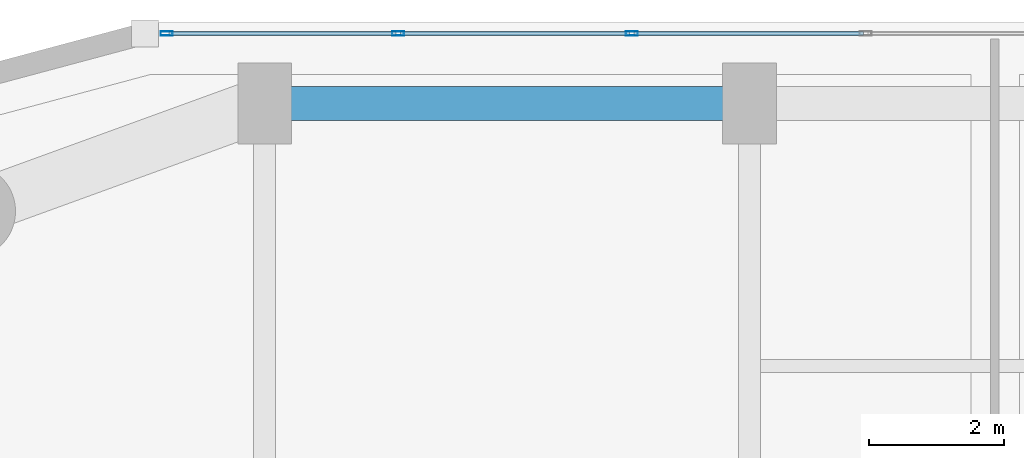
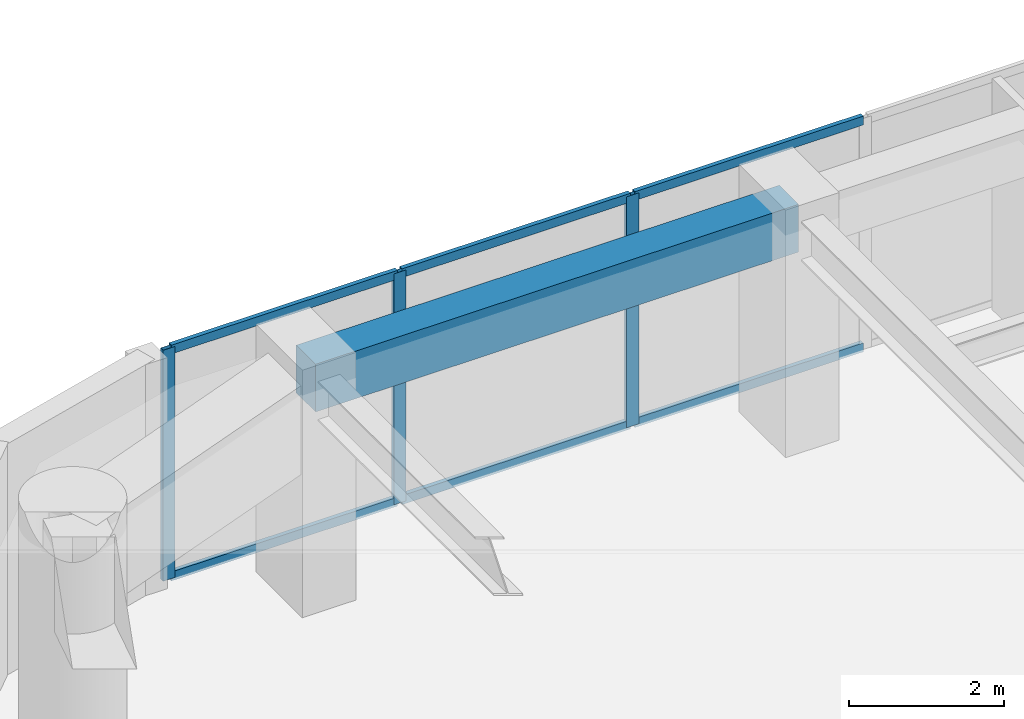
# One storey, part 13 of 24: 9 members, 1 beam, 1 element without a shape of its own.
"""IFC4 building model written with IfcOpenShell, lengths in metres."""

from ifc_helpers import new_model, si_unit, direction, frame, origin, origin_2d, place, context, subcontext, project, spatial, rectangle, hollow_rectangle, extrude, material, layer, layer_set, material_profile, profile_set, type_object, element, aggregate, save


model = new_model("IFC4")

# Units and contexts
model_context = context("Model", 3, precision=1e-05, world=origin(), true_north=direction((0.0, 1.0)))
body_context = subcontext(model_context, "Body", "Model", "MODEL_VIEW")
ifc_project = project(units=[si_unit("LENGTHUNIT", "METRE"), si_unit("AREAUNIT", "SQUARE_METRE"), si_unit("VOLUMEUNIT", "CUBIC_METRE"), si_unit("PLANEANGLEUNIT", "RADIAN"), si_unit("MASSUNIT", "GRAM", prefix="KILO")], contexts=[model_context])

# Site, building, storey
site_placement = place(None, origin())
site = spatial("IfcSite", under=ifc_project, at=site_placement, CompositionType="ELEMENT")
building_placement = place(site_placement, origin())
building = spatial("IfcBuilding", under=site, at=building_placement, Name="Kiyonajd Concourse Tower", CompositionType="ELEMENT")
storey_placement = place(building_placement, frame((0.0, 0.0, 109.199951171875)))
storey = spatial("IfcBuildingStorey", under=building, at=storey_placement, Name="L28", CompositionType="ELEMENT", Elevation=109.199951171875)

# Beam
ifc_material_1 = material(Name="Precast concrete C50/60", Category="concrete")
ifc_material_profile_1 = material_profile(ifc_material_1, rectangle(XDim=0.5, YDim=0.75, at=origin_2d()), Name="RCBM-500x750")
ifc_profile_set_1 = profile_set([ifc_material_profile_1], Name="Precast concrete C50/60")
beam_type = type_object("IfcBeamType", Name="BM-SPAN-RC", PredefinedType="SPANDREL", material=ifc_profile_set_1)
beam_placement = place(storey_placement, frame((32.39990234375, 61.199951171875, 3.26513671875), z_axis=(-1.0, 0.0, 0.0), x_axis=(0.0, -1.0, 0.0)))
element("IfcBeam", 1, at=beam_placement, inside=storey, type_object=beam_type, Name="L28 Perimeter Bundled Tube Spandrel", PredefinedType="SPANDREL", context=body_context, shape_type="SweptSolid", body=[
    extrude(rectangle(XDim=0.5, YDim=0.75, at=origin_2d()), origin(), (0.0, 0.0, 1.0), 7.199951171875),
])

# Curtain wall, members
ifc_material_2 = material(Name="Thermally Broken Anodised Aluminium", Category="aluminium")
ifc_layer = layer(ifc_material_2, 0.179931640625)
ifc_layer_set = layer_set([ifc_layer], Name="Thermally Broken Anodised Aluminium")
curtain_wall_type = type_object("IfcCurtainWallType", Name="CW-SYS-03", PredefinedType="NOTDEFINED", material=ifc_layer_set)
curtain_wall_placement = place(storey_placement, origin())
curtain_wall = element("IfcCurtainWall", 2, at=curtain_wall_placement, inside=storey, type_object=curtain_wall_type, Name="L28 Unitised Curtain Wall CW3", PredefinedType="NOTDEFINED")
ifc_material_profile_2 = material_profile(ifc_material_2, hollow_rectangle(XDim=0.06494140625, YDim=0.179931640625, WallThickness=0.00390625, at=origin_2d()), Name="MULL-65x180")
ifc_profile_set_2 = profile_set([ifc_material_profile_2], Name="Thermally Broken Anodised Aluminium")
member_type_1 = type_object("IfcMemberType", Name="MB-CW-MULL1", PredefinedType="MULLION", material=ifc_profile_set_2)
member_1_placement = place(storey_placement, frame((23.74365234375, 62.239990234375, 0.0), z_axis=(0.0, 0.0, 1.0), x_axis=(0.0, 1.0, 0.0)))
member_1 = element("IfcMember", 3, at=member_1_placement, type_object=member_type_1, Name="CW3 mullion 1", PredefinedType="MULLION", context=body_context, shape_type="SweptSolid", body=[
    extrude(hollow_rectangle(XDim=0.06494140625, YDim=0.179931640625, WallThickness=0.00390625, at=origin_2d()), origin(), (0.0, 0.0, 1.0), 3.64013671875),
])
member_2_placement = place(storey_placement, frame((27.181884765625, 62.239990234375, 0.0), z_axis=(0.0, 0.0, 1.0), x_axis=(0.0, 1.0, 0.0)))
member_2 = element("IfcMember", 4, at=member_2_placement, type_object=member_type_1, Name="CW3 mullion 2", PredefinedType="MULLION", context=body_context, shape_type="SweptSolid", body=[
    extrude(hollow_rectangle(XDim=0.06494140625, YDim=0.179931640625, WallThickness=0.00390625, at=origin_2d()), origin(), (0.0, 0.0, 1.0), 3.64013671875),
])
member_3_placement = place(storey_placement, frame((30.652587890625, 62.239990234375, 0.0), z_axis=(0.0, 0.0, 1.0), x_axis=(0.0, 1.0, 0.0)))
member_3 = element("IfcMember", 5, at=member_3_placement, type_object=member_type_1, Name="CW3 mullion 3", PredefinedType="MULLION", context=body_context, shape_type="SweptSolid", body=[
    extrude(hollow_rectangle(XDim=0.06494140625, YDim=0.179931640625, WallThickness=0.00390625, at=origin_2d()), origin(), (0.0, 0.0, 1.0), 3.64013671875),
])
ifc_material_profile_3 = material_profile(ifc_material_2, hollow_rectangle(XDim=0.06494140625, YDim=0.139892578125, WallThickness=0.00390625, at=origin_2d()), Name="TRAN-65x140")
ifc_profile_set_3 = profile_set([ifc_material_profile_3], Name="Thermally Broken Anodised Aluminium")
member_type_2 = type_object("IfcMemberType", Name="MB-CW-TRAN1", PredefinedType="USERDEFINED", material=ifc_profile_set_3)
member_4_placement = place(storey_placement, frame((23.776123046875, 62.239990234375, 0.032470703125), z_axis=(1.0, 0.0, 0.0), x_axis=(0.0, 1.0, 0.0)))
member_4 = element("IfcMember", 6, at=member_4_placement, type_object=member_type_2, Name="CW3 transom 1.1", ObjectType="TRANSOM", PredefinedType="USERDEFINED", context=body_context, shape_type="SweptSolid", body=[
    extrude(hollow_rectangle(XDim=0.06494140625, YDim=0.139892578125, WallThickness=0.00390625, at=origin_2d()), origin(), (0.0, 0.0, 1.0), 3.373291015625),
])
member_5_placement = place(storey_placement, frame((23.776123046875, 62.239990234375, 3.607666015625), z_axis=(1.0, 0.0, 0.0), x_axis=(0.0, 1.0, 0.0)))
member_5 = element("IfcMember", 7, at=member_5_placement, type_object=member_type_2, Name="CW3 transom 1.2", ObjectType="TRANSOM", PredefinedType="USERDEFINED", context=body_context, shape_type="SweptSolid", body=[
    extrude(hollow_rectangle(XDim=0.06494140625, YDim=0.139892578125, WallThickness=0.00390625, at=origin_2d()), origin(), (0.0, 0.0, 1.0), 3.373291015625),
])
member_6_placement = place(storey_placement, frame((27.21435546875, 62.239990234375, 0.032470703125), z_axis=(1.0, 0.0, 0.0), x_axis=(0.0, 1.0, 0.0)))
member_6 = element("IfcMember", 8, at=member_6_placement, type_object=member_type_2, Name="CW3 transom 2.1", ObjectType="TRANSOM", PredefinedType="USERDEFINED", context=body_context, shape_type="SweptSolid", body=[
    extrude(hollow_rectangle(XDim=0.06494140625, YDim=0.139892578125, WallThickness=0.00390625, at=origin_2d()), origin(), (0.0, 0.0, 1.0), 3.40576171875),
])
member_7_placement = place(storey_placement, frame((27.21435546875, 62.239990234375, 3.607666015625), z_axis=(1.0, 0.0, 0.0), x_axis=(0.0, 1.0, 0.0)))
member_7 = element("IfcMember", 9, at=member_7_placement, type_object=member_type_2, Name="CW3 transom 2.2", ObjectType="TRANSOM", PredefinedType="USERDEFINED", context=body_context, shape_type="SweptSolid", body=[
    extrude(hollow_rectangle(XDim=0.06494140625, YDim=0.139892578125, WallThickness=0.00390625, at=origin_2d()), origin(), (0.0, 0.0, 1.0), 3.40576171875),
])
member_8_placement = place(storey_placement, frame((30.68505859375, 62.239990234375, 0.032470703125), z_axis=(1.0, 0.0, 0.0), x_axis=(0.0, 1.0, 0.0)))
member_8 = element("IfcMember", 10, at=member_8_placement, type_object=member_type_2, Name="CW3 transom 3.1", ObjectType="TRANSOM", PredefinedType="USERDEFINED", context=body_context, shape_type="SweptSolid", body=[
    extrude(hollow_rectangle(XDim=0.06494140625, YDim=0.139892578125, WallThickness=0.00390625, at=origin_2d()), origin(), (0.0, 0.0, 1.0), 3.40576171875),
])
member_9_placement = place(storey_placement, frame((30.68505859375, 62.239990234375, 3.607666015625), z_axis=(1.0, 0.0, 0.0), x_axis=(0.0, 1.0, 0.0)))
member_9 = element("IfcMember", 11, at=member_9_placement, type_object=member_type_2, Name="CW3 transom 3.2", ObjectType="TRANSOM", PredefinedType="USERDEFINED", context=body_context, shape_type="SweptSolid", body=[
    extrude(hollow_rectangle(XDim=0.06494140625, YDim=0.139892578125, WallThickness=0.00390625, at=origin_2d()), origin(), (0.0, 0.0, 1.0), 3.40576171875),
])
aggregate(curtain_wall, [member_1, member_2, member_3, member_4, member_5, member_6, member_7, member_8, member_9])

save(model, "model.ifc")
